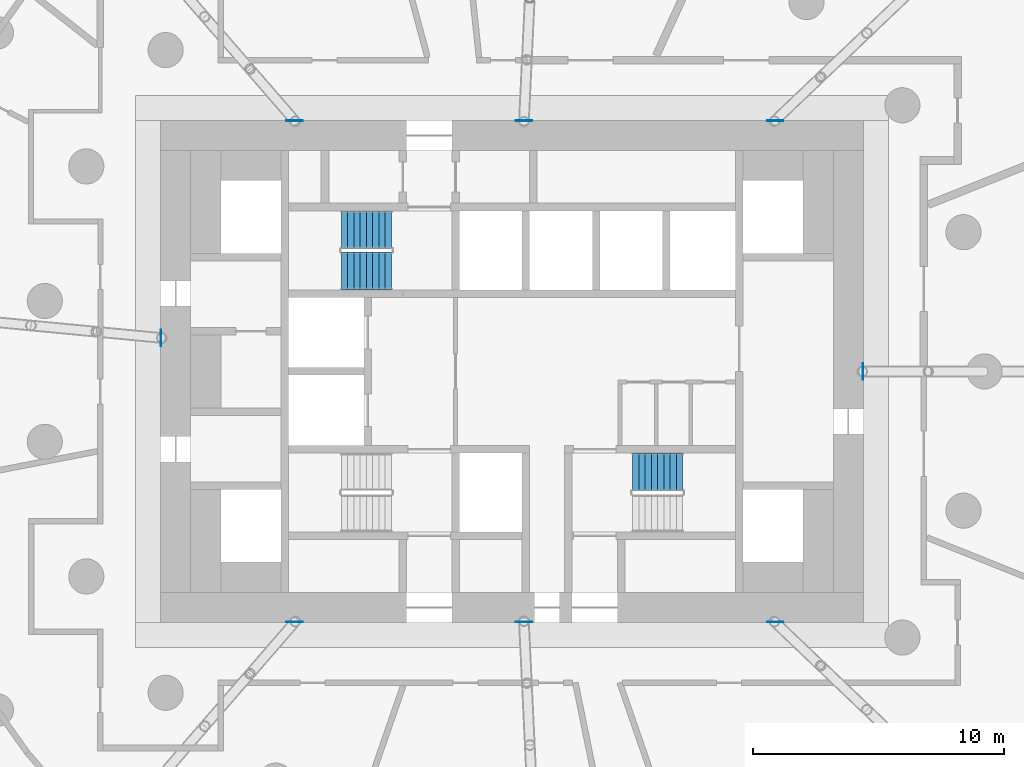
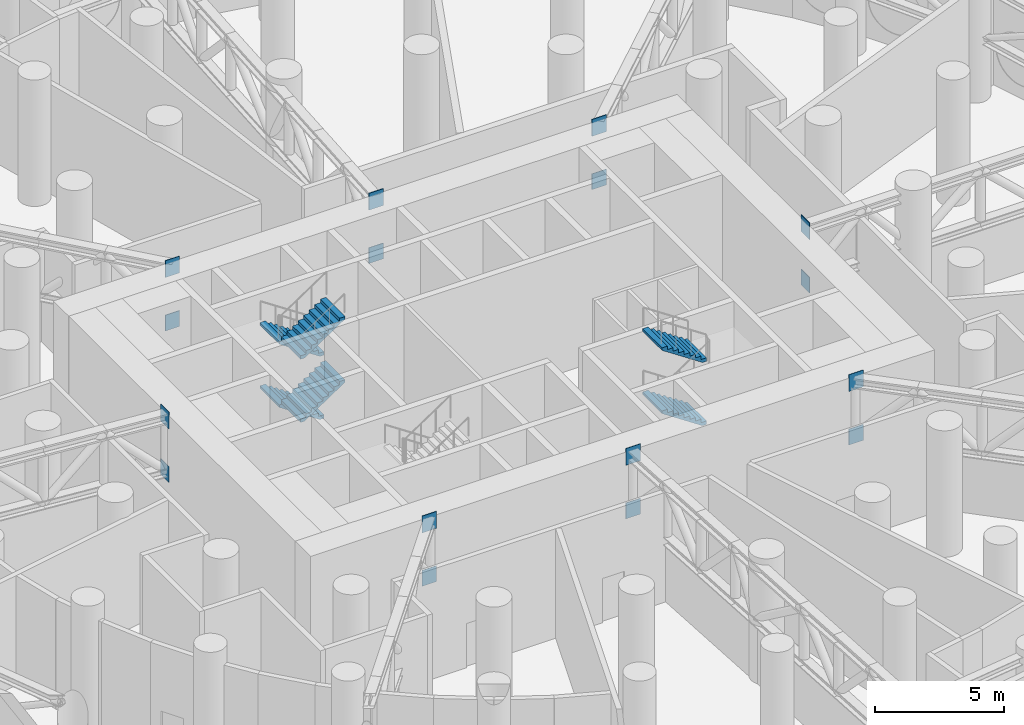
# One storey, part 16 of 17: 16 discrete accessories, 6 stair flights, 2 elements without a shape of their own.
"""IFC4 building model written with IfcOpenShell, lengths in metres."""

import ifcopenshell
import ifcopenshell.guid

model = None  # the IFC model being written
_history = None  # IfcOwnerHistory: only IFC2X3 demands one
_inside = {}  # id of a spatial element -> (the spatial element, [elements in it])
_under = {}  # id of a project, library or spatial element -> (it, [spatial elements below it])
_declared = {}  # id of a project -> (the project, [libraries it declares])
_typed = {}  # id of a type object -> (the type object, [elements of that type])
_made_of = {}  # id of a material, layer set ... -> (it, [elements and type objects made of it])


def new_model(schema):
    """Start an empty IFC model of exactly this schema.

    Asked for "IFC4X3", IfcOpenShell would pick the latest addendum, in which some entities
    have other attributes; the version numbers below select the first issue.
    IFC2X3 requires an IfcOwnerHistory on every rooted entity: one is made here for all.
    """
    global model, _history
    if schema == "IFC4X3":
        model = ifcopenshell.file(schema_version=(4, 3, 0, 0))
    else:
        model = ifcopenshell.file(schema=schema)
    _inside.clear()
    _under.clear()
    _declared.clear()
    _typed.clear()
    _made_of.clear()
    _history = None
    if model.schema == "IFC2X3":
        org = make("IfcOrganization", Name="unknown")
        user = make(
            "IfcPersonAndOrganization",
            ThePerson=make("IfcPerson", FamilyName="unknown"),
            TheOrganization=org,
        )
        app = make(
            "IfcApplication",
            ApplicationDeveloper=org,
            Version="unknown",
            ApplicationFullName="unknown",
            ApplicationIdentifier="unknown",
        )
        _history = make(
            "IfcOwnerHistory",
            OwningUser=user,
            OwningApplication=app,
            ChangeAction="ADDED",
            CreationDate=0,
        )
    return model


def make(cls, **values):
    """One entity of the class cls with the attributes given. An attribute that is None is left unset."""
    return model.create_entity(
        cls, **{name: value for name, value in values.items() if value is not None}
    )


def rooted(cls, **values):
    """An entity with a GlobalId (a new one), such as an element, a storey or a relation."""
    return make(cls, GlobalId=ifcopenshell.guid.new(), OwnerHistory=_history, **values)


def si_unit(unit_type, name, prefix=None):
    """IfcSIUnit, for example si_unit("LENGTHUNIT", "METRE", prefix="MILLI")."""
    return make("IfcSIUnit", UnitType=unit_type, Prefix=prefix, Name=name)


def assignment(units):
    """IfcUnitAssignment: the units of a project."""
    return None if units is None else make("IfcUnitAssignment", Units=units)


def point(xyz):
    """IfcCartesianPoint."""
    return None if xyz is None else make("IfcCartesianPoint", Coordinates=xyz)


def direction(xyz):
    """IfcDirection."""
    return None if xyz is None else make("IfcDirection", DirectionRatios=xyz)


def frame(location, z_axis=None, x_axis=None):
    """IfcAxis2Placement3D, a coordinate frame: its origin and axes. An axis left out is left unset."""
    return make(
        "IfcAxis2Placement3D",
        Location=point(location),
        Axis=direction(z_axis),
        RefDirection=direction(x_axis),
    )


def frame_2d(location, x_axis=None):
    """IfcAxis2Placement2D, a coordinate frame in the plane: its origin and x axis."""
    return make(
        "IfcAxis2Placement2D", Location=point(location), RefDirection=direction(x_axis)
    )


def origin():
    """The frame at (0, 0, 0) with its axes left unset."""
    return frame((0.0, 0.0, 0.0))


def origin_2d():
    """The frame at (0, 0) in the plane with its x axis left unset."""
    return frame_2d((0.0, 0.0))


def place(relative_to, where):
    """IfcLocalPlacement: puts the frame where relative to a parent placement (None: the world)."""
    return make(
        "IfcLocalPlacement", PlacementRelTo=relative_to, RelativePlacement=where
    )


def context(
    kind, dimensions, precision=None, world=None, true_north=None, identifier=None
):
    """IfcGeometricRepresentationContext, for example the 3D "Model" context."""
    return make(
        "IfcGeometricRepresentationContext",
        ContextIdentifier=identifier,
        ContextType=kind,
        CoordinateSpaceDimension=dimensions,
        Precision=precision,
        WorldCoordinateSystem=world,
        TrueNorth=true_north,
    )


def subcontext(parent, identifier, kind, view, scale=None):
    """IfcGeometricRepresentationSubContext, for example "Body" below "Model"."""
    return make(
        "IfcGeometricRepresentationSubContext",
        ContextIdentifier=identifier,
        ContextType=kind,
        ParentContext=parent,
        TargetScale=scale,
        TargetView=view,
    )


def project(units=None, contexts=None):
    """IfcProject with its units and contexts."""
    return rooted(
        "IfcProject",
        Name="project",
        RepresentationContexts=contexts,
        UnitsInContext=assignment(units),
    )


def spatial(cls, under=None, at=None, **own):
    """A site, building, storey or space (cls), placed at a placement, below another one or the project."""
    s = rooted(cls, ObjectPlacement=at, **own)
    if under is not None:
        _under.setdefault(under.id(), (under, []))[1].append(s)
    return s


def polyline(points):
    """IfcPolyline through the points."""
    return make("IfcPolyline", Points=[point(p) for p in points])


def profile(cls, at=None, kind="AREA", **sizes):
    """A parametric profile (cls). Its sizes go by their IFC names, for example OverallWidth=200.0."""
    return make(cls, ProfileType=kind, Position=at, **sizes)


def rectangle(**sizes):
    """IfcRectangleProfileDef."""
    return profile("IfcRectangleProfileDef", **sizes)


def outline(outer, holes=None, kind="AREA"):
    """IfcArbitraryClosedProfileDef: a profile drawn as a closed curve; with holes, ...WithVoids."""
    if holes is None:
        return make("IfcArbitraryClosedProfileDef", ProfileType=kind, OuterCurve=outer)
    return make(
        "IfcArbitraryProfileDefWithVoids",
        ProfileType=kind,
        OuterCurve=outer,
        InnerCurves=holes,
    )


def extrude(swept, where, along, depth):
    """IfcExtrudedAreaSolid: the profile swept, set in the frame where, extruded along a direction by depth."""
    return make(
        "IfcExtrudedAreaSolid",
        SweptArea=swept,
        Position=where,
        ExtrudedDirection=direction(along),
        Depth=depth,
    )


def shape(context_of_items, identifier, shape_type, items):
    """IfcShapeRepresentation: the items that make up one representation, for example the "Body"."""
    return make(
        "IfcShapeRepresentation",
        ContextOfItems=context_of_items,
        RepresentationIdentifier=identifier,
        RepresentationType=shape_type,
        Items=items,
    )


def material(Name=None, Category=None):
    """IfcMaterial."""
    return make("IfcMaterial", Name=Name, Category=Category)


def layer(
    of_material, thickness, ventilated=None, Name=None, Category=None, Priority=None
):
    """IfcMaterialLayer: one layer of a wall or slab, of a material (None: an air gap)."""
    return make(
        "IfcMaterialLayer",
        Material=of_material,
        LayerThickness=thickness,
        IsVentilated=ventilated,
        Name=Name,
        Category=Category,
        Priority=Priority,
    )


def layer_set(layers, Name=None):
    """IfcMaterialLayerSet."""
    return make("IfcMaterialLayerSet", MaterialLayers=layers, LayerSetName=Name)


def made_of(thing, what):
    """Note that an element or type object is made of a material, layer set ...; save() writes the relation."""
    if what is not None:
        _made_of.setdefault(what.id(), (what, []))[1].append(thing)
    return thing


def type_object(cls, material=None, **own):
    """A type object (cls), such as IfcWallType, which elements share."""
    return made_of(rooted(cls, **own), material)


def element(
    cls,
    number,
    at=None,
    inside=None,
    cuts=None,
    type_object=None,
    material=None,
    context=None,
    identifier="Body",
    shape_type=None,
    held_by="IfcProductDefinitionShape",
    body=None,
    shapes=None,
    **own,
):
    """One element of the class cls, such as IfcWall. Its Tag is "e" and its number.

    at: its placement. inside: the storey or other place that contains it. cuts: it is an
    opening in that element (IfcRelVoidsElement). A single representation is given by context,
    identifier, shape_type and body (its items); several are given by shapes. held_by: the class
    of the entity that holds the representations. save() writes the other relations.
    """
    e = rooted(cls, Tag="e%d" % number, ObjectPlacement=at, **own)
    if body is not None:
        shapes = [shape(context, identifier, shape_type, body)]
    if shapes is not None:
        e.Representation = make(held_by, Representations=shapes)
    if inside is not None:
        _inside.setdefault(inside.id(), (inside, []))[1].append(e)
    if cuts is not None:
        rooted(
            "IfcRelVoidsElement", RelatingBuildingElement=cuts, RelatedOpeningElement=e
        )
    if type_object is not None:
        _typed.setdefault(type_object.id(), (type_object, []))[1].append(e)
    return made_of(e, material)


def aggregate(whole, parts):
    """IfcRelAggregates: a whole, such as a stair, and the parts it consists of."""
    return rooted("IfcRelAggregates", RelatingObject=whole, RelatedObjects=parts)


def save(model, path):
    """Write the relations noted so far, then the file.

    IfcRelAggregates (storeys below a building ...), IfcRelContainedInSpatialStructure (elements
    in a storey), IfcRelDefinesByType, IfcRelAssociatesMaterial and IfcRelDeclares: one each for
    every whole, place, type object, material and project.
    """
    for whole, parts in _under.values():
        aggregate(whole, parts)
    for where, things in _inside.values():
        rooted(
            "IfcRelContainedInSpatialStructure",
            RelatedElements=things,
            RelatingStructure=where,
        )
    for kind, things in _typed.values():
        rooted("IfcRelDefinesByType", RelatedObjects=things, RelatingType=kind)
    for what, things in _made_of.values():
        rooted("IfcRelAssociatesMaterial", RelatedObjects=things, RelatingMaterial=what)
    for by, libraries in _declared.values():
        rooted("IfcRelDeclares", RelatingContext=by, RelatedDefinitions=libraries)
    model.write(path)


model = new_model("IFC4")

# Units and contexts
model_context = context("Model", 3, precision=1e-05, world=origin(), true_north=direction((0.0, 1.0)))
body_context = subcontext(model_context, "Body", "Model", "MODEL_VIEW")
ifc_project = project(units=[si_unit("LENGTHUNIT", "METRE"), si_unit("AREAUNIT", "SQUARE_METRE"), si_unit("VOLUMEUNIT", "CUBIC_METRE"), si_unit("PLANEANGLEUNIT", "RADIAN"), si_unit("MASSUNIT", "GRAM", prefix="KILO")], contexts=[model_context])

# Site, building, storey
site_placement = place(None, origin())
site = spatial("IfcSite", under=ifc_project, at=site_placement, CompositionType="ELEMENT")
building_placement = place(site_placement, origin())
building = spatial("IfcBuilding", under=site, at=building_placement, Name="Tracery Tower", CompositionType="ELEMENT")
storey_placement = place(building_placement, frame((0.0, 0.0, 120.0)))
storey = spatial("IfcBuildingStorey", under=building, at=storey_placement, Name="L30 Plant", CompositionType="ELEMENT", Elevation=120.0)

# Stair, stair flights
ifc_material_1 = material(Name="Concrete C32/40", Category="concrete")
stair_type = type_object("IfcStairType", Name="Core stair 36 risers", PredefinedType="HALF_TURN_STAIR", material=ifc_material_1)
stair_1_placement = place(storey_placement, origin())
stair_1 = element("IfcStair", 1, at=stair_1_placement, inside=storey, type_object=stair_type, Name="L30 Plant stair ST3", PredefinedType="HALF_TURN_STAIR")
ifc_material_2 = material(Name="Concrete C32/40", Category="concrete")
stair_flight_type = type_object("IfcStairFlightType", Name="Core stair flight 9 risers", PredefinedType="STRAIGHT", material=ifc_material_2)
stair_flight_1_placement = place(storey_placement, frame((-4.800048828125, 5.64990234375, 0.0), z_axis=(0.0, 0.0, 1.0), x_axis=(-1.0, 0.0, 0.0)))
stair_flight_1 = element("IfcStairFlight", 2, at=stair_flight_1_placement, type_object=stair_flight_type, Name="ST3 flight 1", NumberOfRisers=9, NumberOfTreads=8, PredefinedType="STRAIGHT", RiserHeight=0.166666667, TreadLength=0.25, context=body_context, shape_type="SweptSolid", body=[
    extrude(outline(polyline([(0.0, 0.0), (0.0, 0.002685546875), (0.0, 0.00537109375), (0.0, 0.00830078125), (0.0, 0.010986328125), (0.0, 0.013671875), (0.0, 0.016357421875), (0.0, 0.01904296875), (0.0, 0.02197265625), (0.0, 0.024658203125), (0.0, 0.02734375), (0.0, 0.030029296875), (0.0, 0.03271484375), (0.0, 0.035400390625), (0.0, 0.038330078125), (0.0, 0.041015625), (0.0, 0.043701171875), (0.0, 0.04638671875), (0.0, 0.049072265625), (0.0, 0.052001953125), (0.0, 0.0546875), (0.0, 0.057373046875), (0.0, 0.06005859375), (0.0, 0.062744140625), (0.0, 0.065673828125), (0.0, 0.068359375), (0.0, 0.071044921875), (0.0, 0.07373046875), (0.0, 0.076416015625), (0.0, 0.079345703125), (0.0, 0.08203125), (0.0, 0.084716796875), (0.0, 0.08740234375), (0.0, 0.090087890625), (0.0, 0.093017578125), (0.0, 0.095703125), (0.0, 0.098388671875), (0.0, 0.10107421875), (0.0, 0.103759765625), (0.0, 0.1064453125), (0.0, 0.109375), (0.0, 0.112060546875), (0.0, 0.11474609375), (0.0, 0.117431640625), (0.0, 0.1201171875), (0.0, 0.123046875), (0.0, 0.125732421875), (0.0, 0.12841796875), (0.0, 0.131103515625), (0.0, 0.1337890625), (0.0, 0.13671875), (0.0, 0.139404296875), (0.0, 0.14208984375), (0.0, 0.144775390625), (0.0, 0.1474609375), (0.0, 0.150390625), (0.0, 0.153076171875), (0.0, 0.15576171875), (0.0, 0.158447265625), (0.0, 0.1611328125), (0.0, 0.163818359375), (0.0, 0.166748046875), (0.25, 0.166748046875), (0.25, 0.333251953125), (0.5, 0.333251953125), (0.5, 0.5), (0.75, 0.5), (0.75, 0.666748046875), (1.0, 0.666748046875), (1.0, 0.833251953125), (1.25, 0.833251953125), (1.25, 1.0), (1.5, 1.0), (1.5, 1.166748046875), (1.75, 1.166748046875), (1.75, 1.333251953125), (2.0, 1.333251953125), (2.0, 1.331298828125), (2.0, 1.329345703125), (2.0, 1.327392578125), (2.0, 1.325439453125), (2.0, 1.323486328125), (2.0, 1.321533203125), (2.0, 1.319580078125), (2.0, 1.317626953125), (2.0, 1.315673828125), (2.0, 1.313720703125), (2.0, 1.3115234375), (2.0, 1.3095703125), (2.0, 1.3076171875), (2.0, 1.3056640625), (2.0, 1.3037109375), (2.0, 1.3017578125), (2.0, 1.2998046875), (2.0, 1.2978515625), (2.0, 1.2958984375), (2.0, 1.2939453125), (2.0, 1.2919921875), (2.0, 1.2900390625), (2.0, 1.2880859375), (2.0, 1.285888671875), (2.0, 1.283935546875), (2.0, 1.281982421875), (2.0, 1.280029296875), (2.0, 1.278076171875), (2.0, 1.276123046875), (2.0, 1.274169921875), (2.0, 1.272216796875), (2.0, 1.270263671875), (2.0, 1.268310546875), (2.0, 1.266357421875), (2.0, 1.264404296875), (2.0, 1.262451171875), (2.0, 1.26025390625), (2.0, 1.25830078125), (2.0, 1.25634765625), (2.0, 1.25439453125), (2.0, 1.25244140625), (2.0, 1.25048828125), (2.0, 1.24853515625), (2.0, 1.24658203125), (2.0, 1.24462890625), (2.0, 1.24267578125), (2.0, 1.24072265625), (2.0, 1.23876953125), (2.0, 1.23681640625), (2.0, 1.234619140625), (2.0, 1.232666015625), (2.0, 1.230712890625), (2.0, 1.228759765625), (2.0, 1.226806640625), (2.0, 1.224853515625), (2.0, 1.222900390625), (2.0, 1.220947265625), (2.0, 1.218994140625), (2.0, 1.217041015625), (2.0, 1.215087890625), (2.0, 1.213134765625), (0.180419921875, 0.0), (0.0, 0.0)])), frame((0.0, 0.75, 0.0), z_axis=(0.0, -1.0, 0.0), x_axis=(1.0, 0.0, 0.0)), (0.0, 0.0, 1.0), 1.5),
])
stair_flight_2_placement = place(storey_placement, frame((-6.800048828125, 4.0, 1.5), z_axis=(0.0, 0.0, 1.0), x_axis=(1.0, 0.0, 0.0)))
stair_flight_2 = element("IfcStairFlight", 3, at=stair_flight_2_placement, type_object=stair_flight_type, Name="ST3 flight 2", NumberOfRisers=9, NumberOfTreads=8, PredefinedType="STRAIGHT", RiserHeight=0.166666667, TreadLength=0.25, context=body_context, shape_type="SweptSolid", body=[
    extrude(outline(polyline([(0.0, 0.0), (0.0, 0.002685546875), (0.0, 0.00537109375), (0.0, 0.00830078125), (0.0, 0.010986328125), (0.0, 0.013671875), (0.0, 0.016357421875), (0.0, 0.01904296875), (0.0, 0.02197265625), (0.0, 0.024658203125), (0.0, 0.02734375), (0.0, 0.030029296875), (0.0, 0.03271484375), (0.0, 0.035400390625), (0.0, 0.038330078125), (0.0, 0.041015625), (0.0, 0.043701171875), (0.0, 0.04638671875), (0.0, 0.049072265625), (0.0, 0.052001953125), (0.0, 0.0546875), (0.0, 0.057373046875), (0.0, 0.06005859375), (0.0, 0.062744140625), (0.0, 0.065673828125), (0.0, 0.068359375), (0.0, 0.071044921875), (0.0, 0.07373046875), (0.0, 0.076416015625), (0.0, 0.079345703125), (0.0, 0.08203125), (0.0, 0.084716796875), (0.0, 0.08740234375), (0.0, 0.090087890625), (0.0, 0.093017578125), (0.0, 0.095703125), (0.0, 0.098388671875), (0.0, 0.10107421875), (0.0, 0.103759765625), (0.0, 0.1064453125), (0.0, 0.109375), (0.0, 0.112060546875), (0.0, 0.11474609375), (0.0, 0.117431640625), (0.0, 0.1201171875), (0.0, 0.123046875), (0.0, 0.125732421875), (0.0, 0.12841796875), (0.0, 0.131103515625), (0.0, 0.1337890625), (0.0, 0.13671875), (0.0, 0.139404296875), (0.0, 0.14208984375), (0.0, 0.144775390625), (0.0, 0.1474609375), (0.0, 0.150390625), (0.0, 0.153076171875), (0.0, 0.15576171875), (0.0, 0.158447265625), (0.0, 0.1611328125), (0.0, 0.163818359375), (0.0, 0.166748046875), (0.25, 0.166748046875), (0.25, 0.333251953125), (0.5, 0.333251953125), (0.5, 0.5), (0.75, 0.5), (0.75, 0.666748046875), (1.0, 0.666748046875), (1.0, 0.833251953125), (1.25, 0.833251953125), (1.25, 1.0), (1.5, 1.0), (1.5, 1.166748046875), (1.75, 1.166748046875), (1.75, 1.333251953125), (2.0, 1.333251953125), (2.0, 1.331298828125), (2.0, 1.329345703125), (2.0, 1.327392578125), (2.0, 1.325439453125), (2.0, 1.323486328125), (2.0, 1.321533203125), (2.0, 1.319580078125), (2.0, 1.317626953125), (2.0, 1.315673828125), (2.0, 1.313720703125), (2.0, 1.3115234375), (2.0, 1.3095703125), (2.0, 1.3076171875), (2.0, 1.3056640625), (2.0, 1.3037109375), (2.0, 1.3017578125), (2.0, 1.2998046875), (2.0, 1.2978515625), (2.0, 1.2958984375), (2.0, 1.2939453125), (2.0, 1.2919921875), (2.0, 1.2900390625), (2.0, 1.2880859375), (2.0, 1.285888671875), (2.0, 1.283935546875), (2.0, 1.281982421875), (2.0, 1.280029296875), (2.0, 1.278076171875), (2.0, 1.276123046875), (2.0, 1.274169921875), (2.0, 1.272216796875), (2.0, 1.270263671875), (2.0, 1.268310546875), (2.0, 1.266357421875), (2.0, 1.264404296875), (2.0, 1.262451171875), (2.0, 1.26025390625), (2.0, 1.25830078125), (2.0, 1.25634765625), (2.0, 1.25439453125), (2.0, 1.25244140625), (2.0, 1.25048828125), (2.0, 1.24853515625), (2.0, 1.24658203125), (2.0, 1.24462890625), (2.0, 1.24267578125), (2.0, 1.24072265625), (2.0, 1.23876953125), (2.0, 1.23681640625), (2.0, 1.234619140625), (2.0, 1.232666015625), (2.0, 1.230712890625), (2.0, 1.228759765625), (2.0, 1.226806640625), (2.0, 1.224853515625), (2.0, 1.222900390625), (2.0, 1.220947265625), (2.0, 1.218994140625), (2.0, 1.217041015625), (2.0, 1.215087890625), (2.0, 1.213134765625), (0.180419921875, 0.0), (0.0, 0.0)])), frame((0.0, 0.75, 0.0), z_axis=(0.0, -1.0, 0.0), x_axis=(1.0, 0.0, 0.0)), (0.0, 0.0, 1.0), 1.5),
])
stair_flight_3_placement = place(storey_placement, frame((-4.800048828125, 5.64990234375, 3.0), z_axis=(0.0, 0.0, 1.0), x_axis=(-1.0, 0.0, 0.0)))
stair_flight_3 = element("IfcStairFlight", 4, at=stair_flight_3_placement, type_object=stair_flight_type, Name="ST3 flight 3", NumberOfRisers=9, NumberOfTreads=8, PredefinedType="STRAIGHT", RiserHeight=0.166666667, TreadLength=0.25, context=body_context, shape_type="SweptSolid", body=[
    extrude(outline(polyline([(0.0, 0.0), (0.0, 0.002685546875), (0.0, 0.00537109375), (0.0, 0.00830078125), (0.0, 0.010986328125), (0.0, 0.013671875), (0.0, 0.016357421875), (0.0, 0.01904296875), (0.0, 0.02197265625), (0.0, 0.024658203125), (0.0, 0.02734375), (0.0, 0.030029296875), (0.0, 0.03271484375), (0.0, 0.035400390625), (0.0, 0.038330078125), (0.0, 0.041015625), (0.0, 0.043701171875), (0.0, 0.04638671875), (0.0, 0.049072265625), (0.0, 0.052001953125), (0.0, 0.0546875), (0.0, 0.057373046875), (0.0, 0.06005859375), (0.0, 0.062744140625), (0.0, 0.065673828125), (0.0, 0.068359375), (0.0, 0.071044921875), (0.0, 0.07373046875), (0.0, 0.076416015625), (0.0, 0.079345703125), (0.0, 0.08203125), (0.0, 0.084716796875), (0.0, 0.08740234375), (0.0, 0.090087890625), (0.0, 0.093017578125), (0.0, 0.095703125), (0.0, 0.098388671875), (0.0, 0.10107421875), (0.0, 0.103759765625), (0.0, 0.1064453125), (0.0, 0.109375), (0.0, 0.112060546875), (0.0, 0.11474609375), (0.0, 0.117431640625), (0.0, 0.1201171875), (0.0, 0.123046875), (0.0, 0.125732421875), (0.0, 0.12841796875), (0.0, 0.131103515625), (0.0, 0.1337890625), (0.0, 0.13671875), (0.0, 0.139404296875), (0.0, 0.14208984375), (0.0, 0.144775390625), (0.0, 0.1474609375), (0.0, 0.150390625), (0.0, 0.153076171875), (0.0, 0.15576171875), (0.0, 0.158447265625), (0.0, 0.1611328125), (0.0, 0.163818359375), (0.0, 0.166748046875), (0.25, 0.166748046875), (0.25, 0.333251953125), (0.5, 0.333251953125), (0.5, 0.5), (0.75, 0.5), (0.75, 0.666748046875), (1.0, 0.666748046875), (1.0, 0.833251953125), (1.25, 0.833251953125), (1.25, 1.0), (1.5, 1.0), (1.5, 1.166748046875), (1.75, 1.166748046875), (1.75, 1.333251953125), (2.0, 1.333251953125), (2.0, 1.331298828125), (2.0, 1.329345703125), (2.0, 1.327392578125), (2.0, 1.325439453125), (2.0, 1.323486328125), (2.0, 1.321533203125), (2.0, 1.319580078125), (2.0, 1.317626953125), (2.0, 1.315673828125), (2.0, 1.313720703125), (2.0, 1.3115234375), (2.0, 1.3095703125), (2.0, 1.3076171875), (2.0, 1.3056640625), (2.0, 1.3037109375), (2.0, 1.3017578125), (2.0, 1.2998046875), (2.0, 1.2978515625), (2.0, 1.2958984375), (2.0, 1.2939453125), (2.0, 1.2919921875), (2.0, 1.2900390625), (2.0, 1.2880859375), (2.0, 1.285888671875), (2.0, 1.283935546875), (2.0, 1.281982421875), (2.0, 1.280029296875), (2.0, 1.278076171875), (2.0, 1.276123046875), (2.0, 1.274169921875), (2.0, 1.272216796875), (2.0, 1.270263671875), (2.0, 1.268310546875), (2.0, 1.266357421875), (2.0, 1.264404296875), (2.0, 1.262451171875), (2.0, 1.26025390625), (2.0, 1.25830078125), (2.0, 1.25634765625), (2.0, 1.25439453125), (2.0, 1.25244140625), (2.0, 1.25048828125), (2.0, 1.24853515625), (2.0, 1.24658203125), (2.0, 1.24462890625), (2.0, 1.24267578125), (2.0, 1.24072265625), (2.0, 1.23876953125), (2.0, 1.23681640625), (2.0, 1.234619140625), (2.0, 1.232666015625), (2.0, 1.230712890625), (2.0, 1.228759765625), (2.0, 1.226806640625), (2.0, 1.224853515625), (2.0, 1.222900390625), (2.0, 1.220947265625), (2.0, 1.218994140625), (2.0, 1.217041015625), (2.0, 1.215087890625), (2.0, 1.213134765625), (0.180419921875, 0.0), (0.0, 0.0)])), frame((0.0, 0.75, 0.0), z_axis=(0.0, -1.0, 0.0), x_axis=(1.0, 0.0, 0.0)), (0.0, 0.0, 1.0), 1.5),
])
stair_flight_4_placement = place(storey_placement, frame((-6.800048828125, 4.0, 4.5), z_axis=(0.0, 0.0, 1.0), x_axis=(1.0, 0.0, 0.0)))
stair_flight_4 = element("IfcStairFlight", 5, at=stair_flight_4_placement, type_object=stair_flight_type, Name="ST3 flight 4", NumberOfRisers=9, NumberOfTreads=8, PredefinedType="STRAIGHT", RiserHeight=0.166666667, TreadLength=0.25, context=body_context, shape_type="SweptSolid", body=[
    extrude(outline(polyline([(0.0, 0.0), (0.0, 0.002685546875), (0.0, 0.00537109375), (0.0, 0.00830078125), (0.0, 0.010986328125), (0.0, 0.013671875), (0.0, 0.016357421875), (0.0, 0.01904296875), (0.0, 0.02197265625), (0.0, 0.024658203125), (0.0, 0.02734375), (0.0, 0.030029296875), (0.0, 0.03271484375), (0.0, 0.035400390625), (0.0, 0.038330078125), (0.0, 0.041015625), (0.0, 0.043701171875), (0.0, 0.04638671875), (0.0, 0.049072265625), (0.0, 0.052001953125), (0.0, 0.0546875), (0.0, 0.057373046875), (0.0, 0.06005859375), (0.0, 0.062744140625), (0.0, 0.065673828125), (0.0, 0.068359375), (0.0, 0.071044921875), (0.0, 0.07373046875), (0.0, 0.076416015625), (0.0, 0.079345703125), (0.0, 0.08203125), (0.0, 0.084716796875), (0.0, 0.08740234375), (0.0, 0.090087890625), (0.0, 0.093017578125), (0.0, 0.095703125), (0.0, 0.098388671875), (0.0, 0.10107421875), (0.0, 0.103759765625), (0.0, 0.1064453125), (0.0, 0.109375), (0.0, 0.112060546875), (0.0, 0.11474609375), (0.0, 0.117431640625), (0.0, 0.1201171875), (0.0, 0.123046875), (0.0, 0.125732421875), (0.0, 0.12841796875), (0.0, 0.131103515625), (0.0, 0.1337890625), (0.0, 0.13671875), (0.0, 0.139404296875), (0.0, 0.14208984375), (0.0, 0.144775390625), (0.0, 0.1474609375), (0.0, 0.150390625), (0.0, 0.153076171875), (0.0, 0.15576171875), (0.0, 0.158447265625), (0.0, 0.1611328125), (0.0, 0.163818359375), (0.0, 0.166748046875), (0.25, 0.166748046875), (0.25, 0.333251953125), (0.5, 0.333251953125), (0.5, 0.5), (0.75, 0.5), (0.75, 0.666748046875), (1.0, 0.666748046875), (1.0, 0.833251953125), (1.25, 0.833251953125), (1.25, 1.0), (1.5, 1.0), (1.5, 1.166748046875), (1.75, 1.166748046875), (1.75, 1.333251953125), (2.0, 1.333251953125), (2.0, 1.331298828125), (2.0, 1.329345703125), (2.0, 1.327392578125), (2.0, 1.325439453125), (2.0, 1.323486328125), (2.0, 1.321533203125), (2.0, 1.319580078125), (2.0, 1.317626953125), (2.0, 1.315673828125), (2.0, 1.313720703125), (2.0, 1.3115234375), (2.0, 1.3095703125), (2.0, 1.3076171875), (2.0, 1.3056640625), (2.0, 1.3037109375), (2.0, 1.3017578125), (2.0, 1.2998046875), (2.0, 1.2978515625), (2.0, 1.2958984375), (2.0, 1.2939453125), (2.0, 1.2919921875), (2.0, 1.2900390625), (2.0, 1.2880859375), (2.0, 1.285888671875), (2.0, 1.283935546875), (2.0, 1.281982421875), (2.0, 1.280029296875), (2.0, 1.278076171875), (2.0, 1.276123046875), (2.0, 1.274169921875), (2.0, 1.272216796875), (2.0, 1.270263671875), (2.0, 1.268310546875), (2.0, 1.266357421875), (2.0, 1.264404296875), (2.0, 1.262451171875), (2.0, 1.26025390625), (2.0, 1.25830078125), (2.0, 1.25634765625), (2.0, 1.25439453125), (2.0, 1.25244140625), (2.0, 1.25048828125), (2.0, 1.24853515625), (2.0, 1.24658203125), (2.0, 1.24462890625), (2.0, 1.24267578125), (2.0, 1.24072265625), (2.0, 1.23876953125), (2.0, 1.23681640625), (2.0, 1.234619140625), (2.0, 1.232666015625), (2.0, 1.230712890625), (2.0, 1.228759765625), (2.0, 1.226806640625), (2.0, 1.224853515625), (2.0, 1.222900390625), (2.0, 1.220947265625), (2.0, 1.218994140625), (2.0, 1.217041015625), (2.0, 1.215087890625), (2.0, 1.213134765625), (0.180419921875, 0.0), (0.0, 0.0)])), frame((0.0, 0.75, 0.0), z_axis=(0.0, -1.0, 0.0), x_axis=(1.0, 0.0, 0.0)), (0.0, 0.0, 1.0), 1.5),
])
aggregate(stair_1, [stair_flight_1, stair_flight_2, stair_flight_3, stair_flight_4])

stair_2_placement = place(storey_placement, origin())
stair_2 = element("IfcStair", 6, at=stair_2_placement, inside=storey, type_object=stair_type, Name="L30 Plant stair ST2", PredefinedType="HALF_TURN_STAIR")
stair_flight_5_placement = place(storey_placement, frame((6.800048828125, -4.0, 1.5), z_axis=(0.0, 0.0, 1.0), x_axis=(-1.0, 0.0, 0.0)))
stair_flight_5 = element("IfcStairFlight", 7, at=stair_flight_5_placement, type_object=stair_flight_type, Name="ST2 flight 2", NumberOfRisers=9, NumberOfTreads=8, PredefinedType="STRAIGHT", RiserHeight=0.166666667, TreadLength=0.25, context=body_context, shape_type="SweptSolid", body=[
    extrude(outline(polyline([(0.0, 0.0), (0.0, 0.002685546875), (0.0, 0.00537109375), (0.0, 0.00830078125), (0.0, 0.010986328125), (0.0, 0.013671875), (0.0, 0.016357421875), (0.0, 0.01904296875), (0.0, 0.02197265625), (0.0, 0.024658203125), (0.0, 0.02734375), (0.0, 0.030029296875), (0.0, 0.03271484375), (0.0, 0.035400390625), (0.0, 0.038330078125), (0.0, 0.041015625), (0.0, 0.043701171875), (0.0, 0.04638671875), (0.0, 0.049072265625), (0.0, 0.052001953125), (0.0, 0.0546875), (0.0, 0.057373046875), (0.0, 0.06005859375), (0.0, 0.062744140625), (0.0, 0.065673828125), (0.0, 0.068359375), (0.0, 0.071044921875), (0.0, 0.07373046875), (0.0, 0.076416015625), (0.0, 0.079345703125), (0.0, 0.08203125), (0.0, 0.084716796875), (0.0, 0.08740234375), (0.0, 0.090087890625), (0.0, 0.093017578125), (0.0, 0.095703125), (0.0, 0.098388671875), (0.0, 0.10107421875), (0.0, 0.103759765625), (0.0, 0.1064453125), (0.0, 0.109375), (0.0, 0.112060546875), (0.0, 0.11474609375), (0.0, 0.117431640625), (0.0, 0.1201171875), (0.0, 0.123046875), (0.0, 0.125732421875), (0.0, 0.12841796875), (0.0, 0.131103515625), (0.0, 0.1337890625), (0.0, 0.13671875), (0.0, 0.139404296875), (0.0, 0.14208984375), (0.0, 0.144775390625), (0.0, 0.1474609375), (0.0, 0.150390625), (0.0, 0.153076171875), (0.0, 0.15576171875), (0.0, 0.158447265625), (0.0, 0.1611328125), (0.0, 0.163818359375), (0.0, 0.166748046875), (0.25, 0.166748046875), (0.25, 0.333251953125), (0.5, 0.333251953125), (0.5, 0.5), (0.75, 0.5), (0.75, 0.666748046875), (1.0, 0.666748046875), (1.0, 0.833251953125), (1.25, 0.833251953125), (1.25, 1.0), (1.5, 1.0), (1.5, 1.166748046875), (1.75, 1.166748046875), (1.75, 1.333251953125), (2.0, 1.333251953125), (2.0, 1.331298828125), (2.0, 1.329345703125), (2.0, 1.327392578125), (2.0, 1.325439453125), (2.0, 1.323486328125), (2.0, 1.321533203125), (2.0, 1.319580078125), (2.0, 1.317626953125), (2.0, 1.315673828125), (2.0, 1.313720703125), (2.0, 1.3115234375), (2.0, 1.3095703125), (2.0, 1.3076171875), (2.0, 1.3056640625), (2.0, 1.3037109375), (2.0, 1.3017578125), (2.0, 1.2998046875), (2.0, 1.2978515625), (2.0, 1.2958984375), (2.0, 1.2939453125), (2.0, 1.2919921875), (2.0, 1.2900390625), (2.0, 1.2880859375), (2.0, 1.285888671875), (2.0, 1.283935546875), (2.0, 1.281982421875), (2.0, 1.280029296875), (2.0, 1.278076171875), (2.0, 1.276123046875), (2.0, 1.274169921875), (2.0, 1.272216796875), (2.0, 1.270263671875), (2.0, 1.268310546875), (2.0, 1.266357421875), (2.0, 1.264404296875), (2.0, 1.262451171875), (2.0, 1.26025390625), (2.0, 1.25830078125), (2.0, 1.25634765625), (2.0, 1.25439453125), (2.0, 1.25244140625), (2.0, 1.25048828125), (2.0, 1.24853515625), (2.0, 1.24658203125), (2.0, 1.24462890625), (2.0, 1.24267578125), (2.0, 1.24072265625), (2.0, 1.23876953125), (2.0, 1.23681640625), (2.0, 1.234619140625), (2.0, 1.232666015625), (2.0, 1.230712890625), (2.0, 1.228759765625), (2.0, 1.226806640625), (2.0, 1.224853515625), (2.0, 1.222900390625), (2.0, 1.220947265625), (2.0, 1.218994140625), (2.0, 1.217041015625), (2.0, 1.215087890625), (2.0, 1.213134765625), (0.180419921875, 0.0), (0.0, 0.0)])), frame((0.0, 0.75, 0.0), z_axis=(0.0, -1.0, 0.0), x_axis=(1.0, 0.0, 0.0)), (0.0, 0.0, 1.0), 1.5),
])
stair_flight_6_placement = place(storey_placement, frame((6.800048828125, -4.0, 4.5), z_axis=(0.0, 0.0, 1.0), x_axis=(-1.0, 0.0, 0.0)))
stair_flight_6 = element("IfcStairFlight", 8, at=stair_flight_6_placement, type_object=stair_flight_type, Name="ST2 flight 4", NumberOfRisers=9, NumberOfTreads=8, PredefinedType="STRAIGHT", RiserHeight=0.166666667, TreadLength=0.25, context=body_context, shape_type="SweptSolid", body=[
    extrude(outline(polyline([(0.0, 0.0), (0.0, 0.002685546875), (0.0, 0.00537109375), (0.0, 0.00830078125), (0.0, 0.010986328125), (0.0, 0.013671875), (0.0, 0.016357421875), (0.0, 0.01904296875), (0.0, 0.02197265625), (0.0, 0.024658203125), (0.0, 0.02734375), (0.0, 0.030029296875), (0.0, 0.03271484375), (0.0, 0.035400390625), (0.0, 0.038330078125), (0.0, 0.041015625), (0.0, 0.043701171875), (0.0, 0.04638671875), (0.0, 0.049072265625), (0.0, 0.052001953125), (0.0, 0.0546875), (0.0, 0.057373046875), (0.0, 0.06005859375), (0.0, 0.062744140625), (0.0, 0.065673828125), (0.0, 0.068359375), (0.0, 0.071044921875), (0.0, 0.07373046875), (0.0, 0.076416015625), (0.0, 0.079345703125), (0.0, 0.08203125), (0.0, 0.084716796875), (0.0, 0.08740234375), (0.0, 0.090087890625), (0.0, 0.093017578125), (0.0, 0.095703125), (0.0, 0.098388671875), (0.0, 0.10107421875), (0.0, 0.103759765625), (0.0, 0.1064453125), (0.0, 0.109375), (0.0, 0.112060546875), (0.0, 0.11474609375), (0.0, 0.117431640625), (0.0, 0.1201171875), (0.0, 0.123046875), (0.0, 0.125732421875), (0.0, 0.12841796875), (0.0, 0.131103515625), (0.0, 0.1337890625), (0.0, 0.13671875), (0.0, 0.139404296875), (0.0, 0.14208984375), (0.0, 0.144775390625), (0.0, 0.1474609375), (0.0, 0.150390625), (0.0, 0.153076171875), (0.0, 0.15576171875), (0.0, 0.158447265625), (0.0, 0.1611328125), (0.0, 0.163818359375), (0.0, 0.166748046875), (0.25, 0.166748046875), (0.25, 0.333251953125), (0.5, 0.333251953125), (0.5, 0.5), (0.75, 0.5), (0.75, 0.666748046875), (1.0, 0.666748046875), (1.0, 0.833251953125), (1.25, 0.833251953125), (1.25, 1.0), (1.5, 1.0), (1.5, 1.166748046875), (1.75, 1.166748046875), (1.75, 1.333251953125), (2.0, 1.333251953125), (2.0, 1.331298828125), (2.0, 1.329345703125), (2.0, 1.327392578125), (2.0, 1.325439453125), (2.0, 1.323486328125), (2.0, 1.321533203125), (2.0, 1.319580078125), (2.0, 1.317626953125), (2.0, 1.315673828125), (2.0, 1.313720703125), (2.0, 1.3115234375), (2.0, 1.3095703125), (2.0, 1.3076171875), (2.0, 1.3056640625), (2.0, 1.3037109375), (2.0, 1.3017578125), (2.0, 1.2998046875), (2.0, 1.2978515625), (2.0, 1.2958984375), (2.0, 1.2939453125), (2.0, 1.2919921875), (2.0, 1.2900390625), (2.0, 1.2880859375), (2.0, 1.285888671875), (2.0, 1.283935546875), (2.0, 1.281982421875), (2.0, 1.280029296875), (2.0, 1.278076171875), (2.0, 1.276123046875), (2.0, 1.274169921875), (2.0, 1.272216796875), (2.0, 1.270263671875), (2.0, 1.268310546875), (2.0, 1.266357421875), (2.0, 1.264404296875), (2.0, 1.262451171875), (2.0, 1.26025390625), (2.0, 1.25830078125), (2.0, 1.25634765625), (2.0, 1.25439453125), (2.0, 1.25244140625), (2.0, 1.25048828125), (2.0, 1.24853515625), (2.0, 1.24658203125), (2.0, 1.24462890625), (2.0, 1.24267578125), (2.0, 1.24072265625), (2.0, 1.23876953125), (2.0, 1.23681640625), (2.0, 1.234619140625), (2.0, 1.232666015625), (2.0, 1.230712890625), (2.0, 1.228759765625), (2.0, 1.226806640625), (2.0, 1.224853515625), (2.0, 1.222900390625), (2.0, 1.220947265625), (2.0, 1.218994140625), (2.0, 1.217041015625), (2.0, 1.215087890625), (2.0, 1.213134765625), (0.180419921875, 0.0), (0.0, 0.0)])), frame((0.0, 0.75, 0.0), z_axis=(0.0, -1.0, 0.0), x_axis=(1.0, 0.0, 0.0)), (0.0, 0.0, 1.0), 1.5),
])
aggregate(stair_2, [stair_flight_5, stair_flight_6])

# Discrete accessories
ifc_material_3 = material(Name="Steel S355", Category="steel")
ifc_layer_1 = layer(ifc_material_3, 0.02490234375)
ifc_layer_set_1 = layer_set([ifc_layer_1], Name="Core wall cast-in plate 650x750x25 for UKC 356x406x340")
discrete_accessory_type_1 = type_object("IfcDiscreteAccessoryType", Name="Core wall cast-in plate 650x750x25 for UKC 356x406x340", PredefinedType="ANCHORPLATE", material=ifc_layer_set_1)
discrete_accessory_1_placement = place(storey_placement, frame((13.987548828125, 0.0, 2.5283203125), z_axis=(0.0, 0.0, 1.0), x_axis=(1.0, 0.0, 0.0)))
element("IfcDiscreteAccessory", 9, at=discrete_accessory_1_placement, inside=storey, type_object=discrete_accessory_type_1, Name="Outrigger 1 cast-in plate bottom", PredefinedType="ANCHORPLATE", context=body_context, shape_type="SweptSolid", body=[
    extrude(rectangle(XDim=0.02490234375, YDim=0.64990234375, at=origin_2d()), origin(), (0.0, 0.0, 1.0), 0.75),
])
for number, where, z_axis, x_axis, name in (
    (10, (10.48779296875, 9.987548828125, 2.5283203125), (0.0, 0.0, 1.0), (1.0, 0.0, 0.0), "Outrigger 2 cast-in plate bottom"),
    (11, (0.476318359375, 9.987548828125, 2.5283203125), (0.0, 0.0, 1.0), (1.0, 0.0, 0.0), "Outrigger 3 cast-in plate bottom"),
    (12, (-8.6650390625, 9.987548828125, 2.5283203125), (0.0, 0.0, 1.0), (1.0, 0.0, 0.0), "Outrigger 4 cast-in plate bottom"),
):
    element("IfcDiscreteAccessory", number, at=place(storey_placement, frame(where, z_axis=z_axis, x_axis=x_axis)), inside=storey, type_object=discrete_accessory_type_1, Name=name, PredefinedType="ANCHORPLATE", context=body_context, shape_type="SweptSolid", body=[
        extrude(rectangle(XDim=0.64990234375, YDim=0.02490234375, at=origin_2d()), origin(), (0.0, 0.0, 1.0), 0.75),
    ])
discrete_accessory_2_placement = place(storey_placement, frame((-13.987548828125, 1.3369140625, 2.5283203125), z_axis=(0.0, 0.0, 1.0), x_axis=(1.0, 0.0, 0.0)))
element("IfcDiscreteAccessory", 13, at=discrete_accessory_2_placement, inside=storey, type_object=discrete_accessory_type_1, Name="Outrigger 5 cast-in plate bottom", PredefinedType="ANCHORPLATE", context=body_context, shape_type="SweptSolid", body=[
    extrude(rectangle(XDim=0.02490234375, YDim=0.64990234375, at=origin_2d()), origin(), (0.0, 0.0, 1.0), 0.75),
])
for number, where, z_axis, x_axis, name in (
    (14, (-8.6650390625, -9.987548828125, 2.5283203125), (0.0, 0.0, 1.0), (1.0, 0.0, 0.0), "Outrigger 6 cast-in plate bottom"),
    (15, (0.476318359375, -9.987548828125, 2.5283203125), (0.0, 0.0, 1.0), (1.0, 0.0, 0.0), "Outrigger 7 cast-in plate bottom"),
    (16, (10.48779296875, -9.987548828125, 2.5283203125), (0.0, 0.0, 1.0), (1.0, 0.0, 0.0), "Outrigger 8 cast-in plate bottom"),
):
    element("IfcDiscreteAccessory", number, at=place(storey_placement, frame(where, z_axis=z_axis, x_axis=x_axis)), inside=storey, type_object=discrete_accessory_type_1, Name=name, PredefinedType="ANCHORPLATE", context=body_context, shape_type="SweptSolid", body=[
        extrude(rectangle(XDim=0.64990234375, YDim=0.02490234375, at=origin_2d()), origin(), (0.0, 0.0, 1.0), 0.75),
    ])
ifc_material_4 = material(Name="Steel S355", Category="steel")
ifc_layer_2 = layer(ifc_material_4, 0.02490234375)
ifc_layer_set_2 = layer_set([ifc_layer_2], Name="Core wall cast-in plate 650x800x25 for UKC 356x406x634")
discrete_accessory_type_2 = type_object("IfcDiscreteAccessoryType", Name="Core wall cast-in plate 650x800x25 for UKC 356x406x634", PredefinedType="ANCHORPLATE", material=ifc_layer_set_2)
discrete_accessory_3_placement = place(storey_placement, frame((13.987548828125, 0.0, 5.0625), z_axis=(0.0, 0.0, 1.0), x_axis=(1.0, 0.0, 0.0)))
element("IfcDiscreteAccessory", 17, at=discrete_accessory_3_placement, inside=storey, type_object=discrete_accessory_type_2, Name="Outrigger 1 cast-in plate top", PredefinedType="ANCHORPLATE", context=body_context, shape_type="SweptSolid", body=[
    extrude(rectangle(XDim=0.02490234375, YDim=0.64990234375, at=origin_2d()), origin(), (0.0, 0.0, 1.0), 0.800048828125),
])
for number, where, z_axis, x_axis, name in (
    (18, (10.48779296875, 9.987548828125, 5.0625), (0.0, 0.0, 1.0), (1.0, 0.0, 0.0), "Outrigger 2 cast-in plate top"),
    (19, (0.476318359375, 9.987548828125, 5.0625), (0.0, 0.0, 1.0), (1.0, 0.0, 0.0), "Outrigger 3 cast-in plate top"),
    (20, (-8.6650390625, 9.987548828125, 5.0625), (0.0, 0.0, 1.0), (1.0, 0.0, 0.0), "Outrigger 4 cast-in plate top"),
):
    element("IfcDiscreteAccessory", number, at=place(storey_placement, frame(where, z_axis=z_axis, x_axis=x_axis)), inside=storey, type_object=discrete_accessory_type_2, Name=name, PredefinedType="ANCHORPLATE", context=body_context, shape_type="SweptSolid", body=[
        extrude(rectangle(XDim=0.64990234375, YDim=0.02490234375, at=origin_2d()), origin(), (0.0, 0.0, 1.0), 0.800048828125),
    ])
discrete_accessory_4_placement = place(storey_placement, frame((-13.987548828125, 1.3369140625, 5.0625), z_axis=(0.0, 0.0, 1.0), x_axis=(1.0, 0.0, 0.0)))
element("IfcDiscreteAccessory", 21, at=discrete_accessory_4_placement, inside=storey, type_object=discrete_accessory_type_2, Name="Outrigger 5 cast-in plate top", PredefinedType="ANCHORPLATE", context=body_context, shape_type="SweptSolid", body=[
    extrude(rectangle(XDim=0.02490234375, YDim=0.64990234375, at=origin_2d()), origin(), (0.0, 0.0, 1.0), 0.800048828125),
])
for number, where, z_axis, x_axis, name in (
    (22, (-8.6650390625, -9.987548828125, 5.0625), (0.0, 0.0, 1.0), (1.0, 0.0, 0.0), "Outrigger 6 cast-in plate top"),
    (23, (0.476318359375, -9.987548828125, 5.0625), (0.0, 0.0, 1.0), (1.0, 0.0, 0.0), "Outrigger 7 cast-in plate top"),
    (24, (10.48779296875, -9.987548828125, 5.0625), (0.0, 0.0, 1.0), (1.0, 0.0, 0.0), "Outrigger 8 cast-in plate top"),
):
    element("IfcDiscreteAccessory", number, at=place(storey_placement, frame(where, z_axis=z_axis, x_axis=x_axis)), inside=storey, type_object=discrete_accessory_type_2, Name=name, PredefinedType="ANCHORPLATE", context=body_context, shape_type="SweptSolid", body=[
        extrude(rectangle(XDim=0.64990234375, YDim=0.02490234375, at=origin_2d()), origin(), (0.0, 0.0, 1.0), 0.800048828125),
    ])

save(model, "model.ifc")
